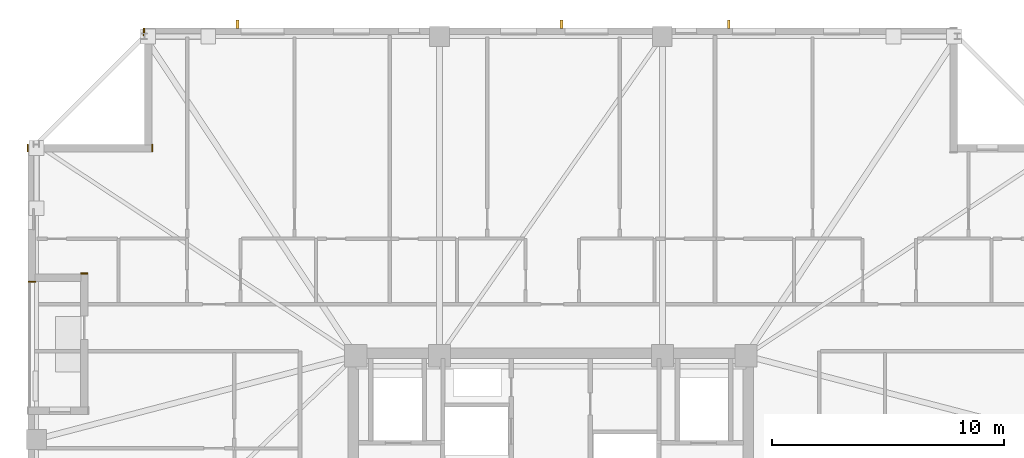
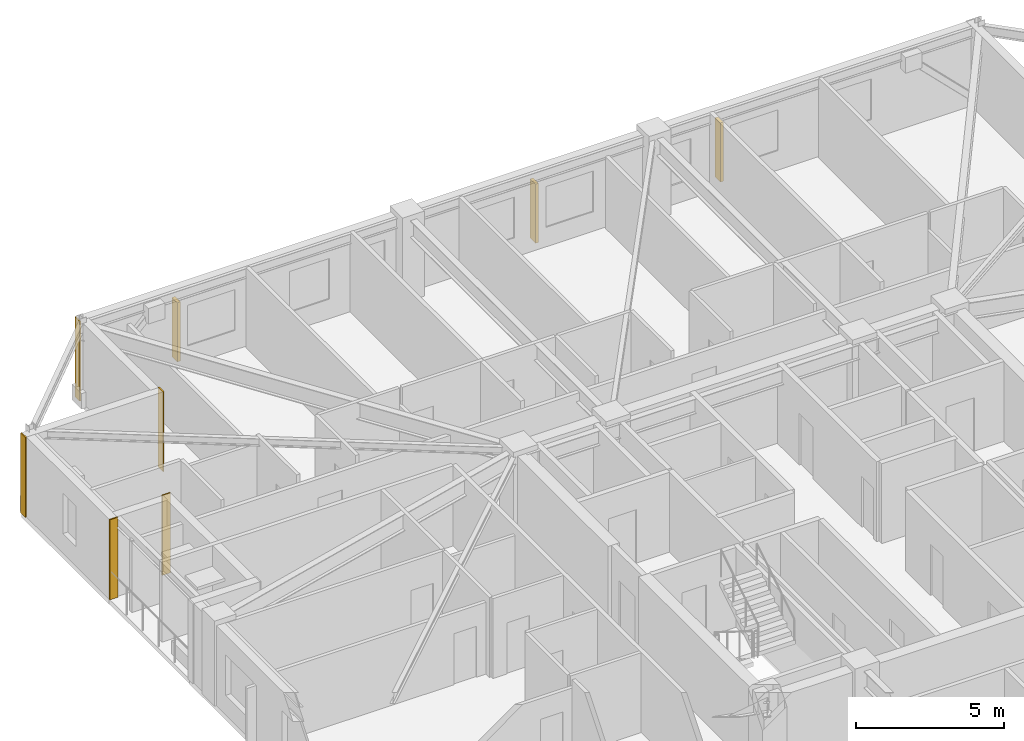
# One storey, part 16 of 17: 5 coverings, 3 shading devices.
"""IFC4 building model written with IfcOpenShell, lengths in metres."""

from ifc_helpers import new_model, si_unit, direction, frame, frame_2d, origin, origin_2d, place, context, subcontext, project, spatial, rectangle, extrude, material, layer, layer_set, type_object, element, save


model = new_model("IFC4")

# Units and contexts
model_context = context("Model", 3, precision=1e-05, world=origin(), true_north=direction((0.0, 1.0)))
body_context = subcontext(model_context, "Body", "Model", "MODEL_VIEW")
ifc_project = project(units=[si_unit("LENGTHUNIT", "METRE"), si_unit("AREAUNIT", "SQUARE_METRE"), si_unit("VOLUMEUNIT", "CUBIC_METRE"), si_unit("PLANEANGLEUNIT", "RADIAN"), si_unit("MASSUNIT", "GRAM", prefix="KILO")], contexts=[model_context])

# Site, building, storey
site_placement = place(None, origin())
site = spatial("IfcSite", under=ifc_project, at=site_placement, CompositionType="ELEMENT")
building_placement = place(site_placement, origin())
building = spatial("IfcBuilding", under=site, at=building_placement, Name="Cairnveth Concourse Tower", CompositionType="ELEMENT")
storey_placement = place(building_placement, frame((0.0, 0.0, 230.5)))
storey = spatial("IfcBuildingStorey", under=building, at=storey_placement, Name="L63", CompositionType="ELEMENT", Elevation=230.5)

# Coverings
ifc_material_1 = material(Name="Dressed Melbourne Bluestone Cladding", Category="masonry")
ifc_layer = layer(ifc_material_1, 0.050048828125)
ifc_layer_set = layer_set([ifc_layer], Name="Dressed Melbourne Bluestone Cladding")
covering_type = type_object("IfcCoveringType", Name="DRESSED BLUESTONE PLINTH CLADDING 50", PredefinedType="CLADDING", material=ifc_layer_set)
for number, where, z_axis, x_axis, name in (
    (1, (29.820068359375, 50.580078125, 0.0), (0.0, 0.0, 1.0), (-1.0, 0.0, 0.0), "Melbourne Bluestone Corner Quoin L63-943"),
    (2, (29.47998046875, 56.179931640625, 0.0), (0.0, 0.0, 1.0), (0.0, 1.0, 0.0), "Melbourne Bluestone Corner Quoin L63-944"),
    (3, (34.840087890625, 56.179931640625, 0.0), (0.0, 0.0, 1.0), (0.0, 1.0, 0.0), "Melbourne Bluestone Corner Quoin L63-945"),
    (4, (34.47998046875, 61.179931640625, 0.0), (0.0, 0.0, 1.0), (0.0, 1.0, 0.0), "Melbourne Bluestone Corner Quoin L63-946"),
    (5, (32.070068359375, 50.93994140625, 0.0), (0.0, 0.0, 1.0), (-1.0, 0.0, 0.0), "Melbourne Bluestone Corner Quoin L63-958"),
):
    element("IfcCovering", number, at=place(storey_placement, frame(where, z_axis=z_axis, x_axis=x_axis)), inside=storey, type_object=covering_type, Name=name, PredefinedType="CLADDING", context=body_context, shape_type="SweptSolid", body=[
        extrude(rectangle(XDim=0.320068359375, YDim=0.050048828125, at=frame_2d((0.16015625, 0.0))), origin(), (0.0, 0.0, 1.0), 3.2900390625),
    ])

# Shading devices
ifc_material_2 = material(Name="Architectural Bronze Anodised Aluminium 6063-T6", Category="aluminium")
shading_device_type = type_object("IfcShadingDeviceType", Name="GOTHIC BRONZE VERTICAL LANCET FIN", PredefinedType="USERDEFINED", material=ifc_material_2)
for number, where, z_axis, x_axis, name in (
    (6, (38.502685546875, 61.675048828125, 0.030029296875), (0.0, 0.0, 1.0), (1.0, 0.0, 0.0), "Gothic Bronze Vertical Fin L63-3-1"),
    (7, (52.45361328125, 61.675048828125, 0.030029296875), (0.0, 0.0, 1.0), (1.0, 0.0, 0.0), "Gothic Bronze Vertical Fin L63-3-5"),
    (8, (59.654052734375, 61.675048828125, 0.030029296875), (0.0, 0.0, 1.0), (1.0, 0.0, 0.0), "Gothic Bronze Vertical Fin L63-3-7"),
):
    element("IfcShadingDevice", number, at=place(storey_placement, frame(where, z_axis=z_axis, x_axis=x_axis)), inside=storey, type_object=shading_device_type, Name=name, ObjectType="VERTICAL FIN", PredefinedType="USERDEFINED", context=body_context, shape_type="SweptSolid", body=[
        extrude(rectangle(XDim=0.1201171875, YDim=0.360107421875, at=origin_2d()), origin(), (0.0, 0.0, 1.0), 2.43798828125),
    ])

save(model, "model.ifc")
